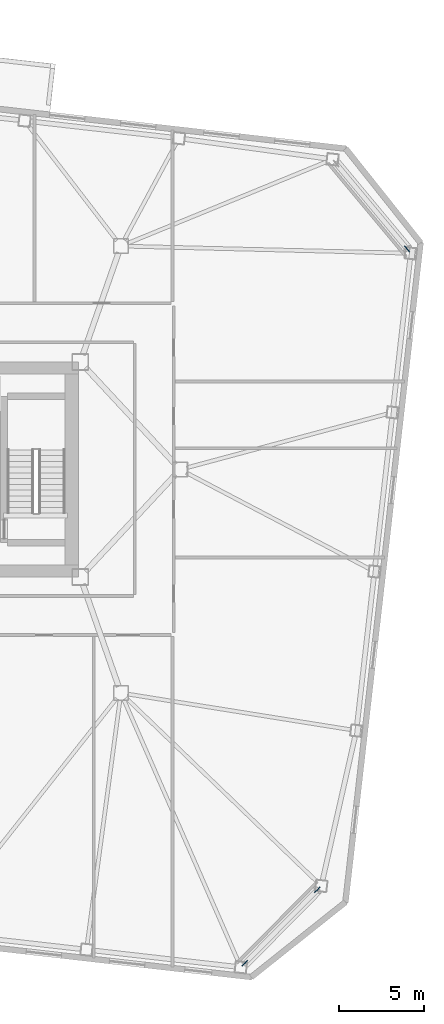
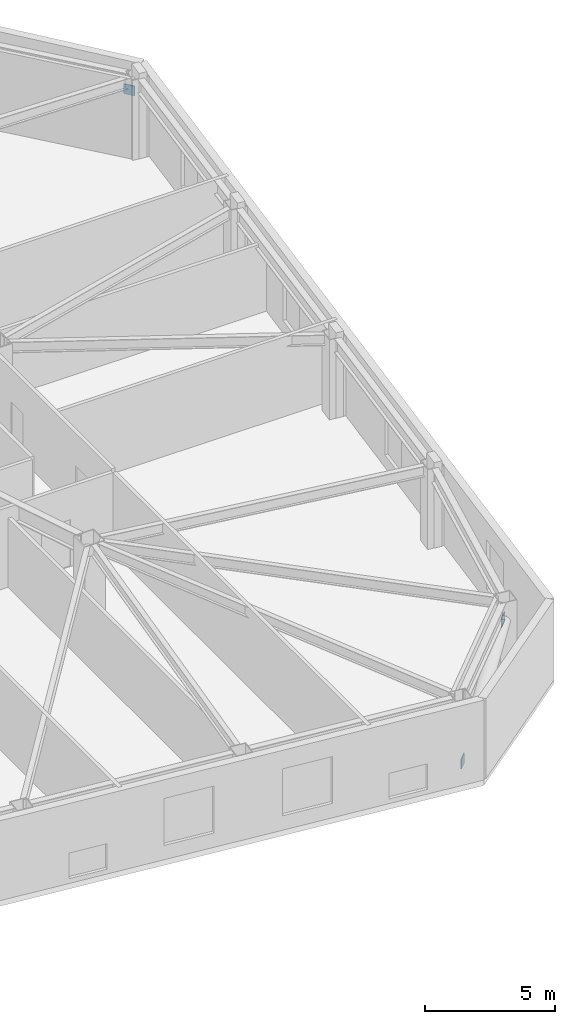
# One storey, part 18 of 21: 3 discrete accessories.
"""IFC4 building model written with IfcOpenShell, lengths in metres."""

from ifc_helpers import new_model, si_unit, direction, frame, origin, origin_2d, place, context, subcontext, project, spatial, rectangle, extrude, material, type_object, element, save


model = new_model("IFC4")

# Units and contexts
model_context = context("Model", 3, precision=1e-05, world=origin(), true_north=direction((0.0, 1.0)))
body_context = subcontext(model_context, "Body", "Model", "MODEL_VIEW")
ifc_project = project(units=[si_unit("LENGTHUNIT", "METRE"), si_unit("AREAUNIT", "SQUARE_METRE"), si_unit("VOLUMEUNIT", "CUBIC_METRE"), si_unit("PLANEANGLEUNIT", "RADIAN"), si_unit("MASSUNIT", "GRAM", prefix="KILO")], contexts=[model_context])

# Site, building, storey
site_placement = place(None, origin())
site = spatial("IfcSite", under=ifc_project, at=site_placement, CompositionType="ELEMENT")
building_placement = place(site_placement, origin())
building = spatial("IfcBuilding", under=site, at=building_placement, Name="Tavrogorsk Clinical Tower", CompositionType="ELEMENT")
storey_placement = place(building_placement, frame((0.0, 0.0, 125.39990234375)))
storey = spatial("IfcBuildingStorey", under=building, at=storey_placement, Name="L28", CompositionType="ELEMENT", Elevation=125.39990234375)

# Discrete accessories
ifc_material = material(Name="Structural steel S440", Category="steel")
discrete_accessory_type = type_object("IfcDiscreteAccessoryType", Name="GussetPlateBracket_25", PredefinedType="BRACKET", material=ifc_material)
for number, where, z_axis, x_axis, name in (
    (1, (31.81640625, -29.1650390625, 0.20458984375), (0.0, 0.0, 1.0), (0.702898299792, 0.711290362756, 0.0), "L28 Brace Gusset Plate EXOCRN-L28-1-A"),
    (2, (36.1025390625, -24.82763671875, 2.67578125), (0.0, 0.0, 1.0), (0.702898299792, 0.711290362756, 0.0), "L28 Brace Gusset Plate EXOCRN-L28-1-B"),
    (3, (41.40771484375, 13.03076171875, 2.68310546875), (0.0, 0.0, 1.0), (0.640243780506, -0.768171791674, 0.0), "L28 Brace Gusset Plate EXOCRN-L28-2-B"),
):
    element("IfcDiscreteAccessory", number, at=place(storey_placement, frame(where, z_axis=z_axis, x_axis=x_axis)), inside=storey, type_object=discrete_accessory_type, Name=name, PredefinedType="BRACKET", context=body_context, shape_type="SweptSolid", body=[
        extrude(rectangle(XDim=0.4599609375, YDim=0.0400390625, at=origin_2d()), origin(), (0.0, 0.0, 1.0), 0.4599609375),
    ])

save(model, "model.ifc")
